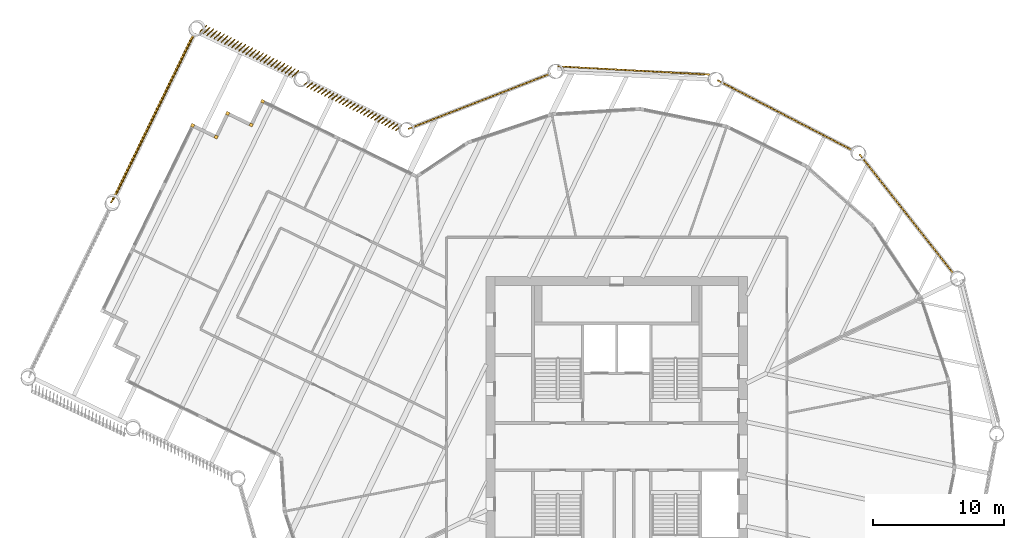
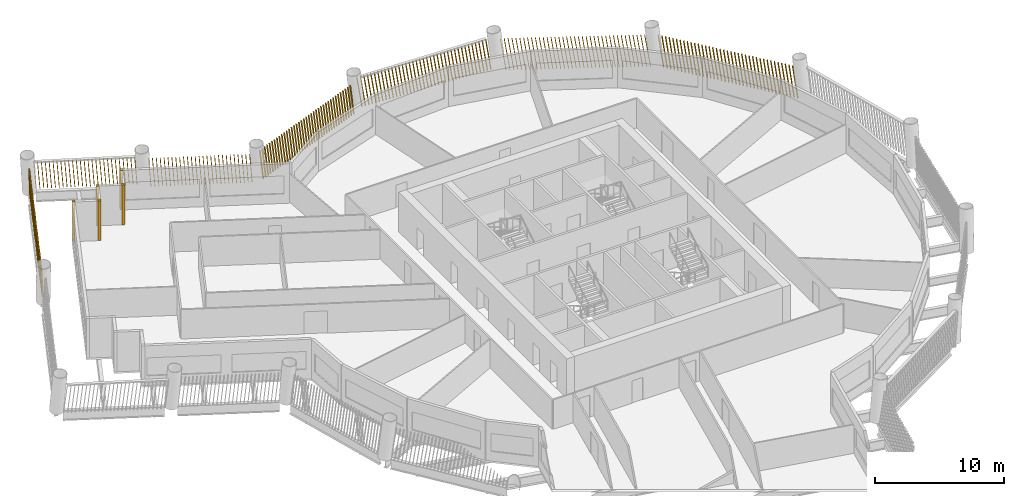
# One storey, part 14 of 15: 12 shading devices.
"""IFC4 building model written with IfcOpenShell, lengths in metres."""

from ifc_helpers import new_model, si_unit, direction, frame, frame_2d, origin, origin_2d, place, context, subcontext, project, spatial, rectangle, composite_profile, extrude, material, type_object, element, save


model = new_model("IFC4")

# Units and contexts
model_context = context("Model", 3, precision=1e-05, world=origin(), true_north=direction((0.0, 1.0)))
body_context = subcontext(model_context, "Body", "Model", "MODEL_VIEW")
ifc_project = project(units=[si_unit("LENGTHUNIT", "METRE"), si_unit("AREAUNIT", "SQUARE_METRE"), si_unit("VOLUMEUNIT", "CUBIC_METRE"), si_unit("PLANEANGLEUNIT", "RADIAN"), si_unit("MASSUNIT", "GRAM", prefix="KILO")], contexts=[model_context])

# Site, building, storey
site_placement = place(None, origin())
site = spatial("IfcSite", under=ifc_project, at=site_placement, CompositionType="ELEMENT")
building_placement = place(site_placement, origin())
building = spatial("IfcBuilding", under=site, at=building_placement, Name="Tarsis Ring Headquarters", CompositionType="ELEMENT")
storey_placement = place(building_placement, frame((0.0, 0.0, 174.89990234375)))
storey = spatial("IfcBuildingStorey", under=building, at=storey_placement, Name="L40", CompositionType="ELEMENT", Elevation=174.89990234375)

# Shading devices
ifc_material = material(Name="Terracotta baguette", Category="masonry")
shading_device_type_1 = type_object("IfcShadingDeviceType", Name="Terracotta baguette screen", PredefinedType="USERDEFINED", material=ifc_material)
shading_device_1_placement = place(storey_placement, frame((25.79052734375, 13.14501953125, 0.0), z_axis=(0.0, 0.0, 1.0), x_axis=(-0.618564979599, 0.785723587117, 0.0)))
element("IfcShadingDevice", 1, at=shading_device_1_placement, inside=storey, type_object=shading_device_type_1, Name="Baguette screen L40-11", ObjectType="Terracotta baguette screen", PredefinedType="USERDEFINED", context=body_context, shape_type="SweptSolid", body=[
    extrude(composite_profile([rectangle(XDim=0.06005859375, YDim=0.1201171875, at=frame_2d((0.030029296875, 0.0))), rectangle(XDim=0.06005859375, YDim=0.1201171875, at=frame_2d((0.33251953125, 0.0))), rectangle(XDim=0.06005859375, YDim=0.1201171875, at=frame_2d((0.634765625, 0.0))), rectangle(XDim=0.06005859375, YDim=0.1201171875, at=frame_2d((0.937255859375, 0.0))), rectangle(XDim=0.06005859375, YDim=0.1201171875, at=frame_2d((1.239501953125, 0.0))), rectangle(XDim=0.06005859375, YDim=0.1201171875, at=frame_2d((1.5419921875, 0.0))), rectangle(XDim=0.06005859375, YDim=0.1201171875, at=frame_2d((1.844482421875, 0.0))), rectangle(XDim=0.06005859375, YDim=0.1201171875, at=frame_2d((2.146728515625, 0.0))), rectangle(XDim=0.06005859375, YDim=0.1201171875, at=frame_2d((2.44921875, 0.0))), rectangle(XDim=0.06005859375, YDim=0.1201171875, at=frame_2d((2.751708984375, 0.0))), rectangle(XDim=0.06005859375, YDim=0.1201171875, at=frame_2d((3.053955078125, 0.0))), rectangle(XDim=0.06005859375, YDim=0.1201171875, at=frame_2d((3.3564453125, 0.0))), rectangle(XDim=0.06005859375, YDim=0.1201171875, at=frame_2d((3.65869140625, 0.0))), rectangle(XDim=0.06005859375, YDim=0.1201171875, at=frame_2d((3.961181640625, 0.0))), rectangle(XDim=0.06005859375, YDim=0.1201171875, at=frame_2d((4.263671875, 0.0))), rectangle(XDim=0.06005859375, YDim=0.1201171875, at=frame_2d((4.56591796875, 0.0))), rectangle(XDim=0.06005859375, YDim=0.1201171875, at=frame_2d((4.868408203125, 0.0))), rectangle(XDim=0.06005859375, YDim=0.1201171875, at=frame_2d((5.1708984375, 0.0))), rectangle(XDim=0.06005859375, YDim=0.1201171875, at=frame_2d((5.47314453125, 0.0))), rectangle(XDim=0.06005859375, YDim=0.1201171875, at=frame_2d((5.775634765625, 0.0))), rectangle(XDim=0.06005859375, YDim=0.1201171875, at=frame_2d((6.077880859375, 0.0))), rectangle(XDim=0.06005859375, YDim=0.1201171875, at=frame_2d((6.38037109375, 0.0))), rectangle(XDim=0.06005859375, YDim=0.1201171875, at=frame_2d((6.682861328125, 0.0))), rectangle(XDim=0.06005859375, YDim=0.1201171875, at=frame_2d((6.985107421875, 0.0))), rectangle(XDim=0.06005859375, YDim=0.1201171875, at=frame_2d((7.28759765625, 0.0))), rectangle(XDim=0.06005859375, YDim=0.1201171875, at=frame_2d((7.590087890625, 0.0))), rectangle(XDim=0.06005859375, YDim=0.1201171875, at=frame_2d((7.892333984375, 0.0))), rectangle(XDim=0.06005859375, YDim=0.1201171875, at=frame_2d((8.19482421875, 0.0))), rectangle(XDim=0.06005859375, YDim=0.1201171875, at=frame_2d((8.4970703125, 0.0))), rectangle(XDim=0.06005859375, YDim=0.1201171875, at=frame_2d((8.799560546875, 0.0))), rectangle(XDim=0.06005859375, YDim=0.1201171875, at=frame_2d((9.10205078125, 0.0))), rectangle(XDim=0.06005859375, YDim=0.1201171875, at=frame_2d((9.404296875, 0.0))), rectangle(XDim=0.06005859375, YDim=0.1201171875, at=frame_2d((9.706787109375, 0.0))), rectangle(XDim=0.06005859375, YDim=0.1201171875, at=frame_2d((10.00927734375, 0.0))), rectangle(XDim=0.06005859375, YDim=0.1201171875, at=frame_2d((10.3115234375, 0.0))), rectangle(XDim=0.06005859375, YDim=0.1201171875, at=frame_2d((10.614013671875, 0.0))), rectangle(XDim=0.06005859375, YDim=0.1201171875, at=frame_2d((10.916259765625, 0.0))), rectangle(XDim=0.06005859375, YDim=0.1201171875, at=frame_2d((11.21875, 0.0)))]), origin(), (0.149482634666, 0.001172855323, 0.988763655452), 2.983642578125),
])
shading_device_2_placement = place(storey_placement, frame((18.079345703125, 22.607177734375, 0.0), z_axis=(0.0, 0.0, 1.0), x_axis=(-0.887444384156, 0.460900705372, 0.0)))
element("IfcShadingDevice", 2, at=shading_device_2_placement, inside=storey, type_object=shading_device_type_1, Name="Baguette screen L40-12", ObjectType="Terracotta baguette screen", PredefinedType="USERDEFINED", context=body_context, shape_type="SweptSolid", body=[
    extrude(composite_profile([rectangle(XDim=0.06005859375, YDim=0.1201171875, at=frame_2d((0.030029296875, 0.0))), rectangle(XDim=0.06005859375, YDim=0.1201171875, at=frame_2d((0.33251953125, 0.0))), rectangle(XDim=0.06005859375, YDim=0.1201171875, at=frame_2d((0.634765625, 0.0))), rectangle(XDim=0.06005859375, YDim=0.1201171875, at=frame_2d((0.937255859375, 0.0))), rectangle(XDim=0.06005859375, YDim=0.1201171875, at=frame_2d((1.239501953125, 0.0))), rectangle(XDim=0.06005859375, YDim=0.1201171875, at=frame_2d((1.5419921875, 0.0))), rectangle(XDim=0.06005859375, YDim=0.1201171875, at=frame_2d((1.844482421875, 0.0))), rectangle(XDim=0.06005859375, YDim=0.1201171875, at=frame_2d((2.146728515625, 0.0))), rectangle(XDim=0.06005859375, YDim=0.1201171875, at=frame_2d((2.44921875, 0.0))), rectangle(XDim=0.06005859375, YDim=0.1201171875, at=frame_2d((2.751708984375, 0.0))), rectangle(XDim=0.06005859375, YDim=0.1201171875, at=frame_2d((3.053955078125, 0.0))), rectangle(XDim=0.06005859375, YDim=0.1201171875, at=frame_2d((3.3564453125, 0.0))), rectangle(XDim=0.06005859375, YDim=0.1201171875, at=frame_2d((3.65869140625, 0.0))), rectangle(XDim=0.06005859375, YDim=0.1201171875, at=frame_2d((3.961181640625, 0.0))), rectangle(XDim=0.06005859375, YDim=0.1201171875, at=frame_2d((4.263671875, 0.0))), rectangle(XDim=0.06005859375, YDim=0.1201171875, at=frame_2d((4.56591796875, 0.0))), rectangle(XDim=0.06005859375, YDim=0.1201171875, at=frame_2d((4.868408203125, 0.0))), rectangle(XDim=0.06005859375, YDim=0.1201171875, at=frame_2d((5.1708984375, 0.0))), rectangle(XDim=0.06005859375, YDim=0.1201171875, at=frame_2d((5.47314453125, 0.0))), rectangle(XDim=0.06005859375, YDim=0.1201171875, at=frame_2d((5.775634765625, 0.0))), rectangle(XDim=0.06005859375, YDim=0.1201171875, at=frame_2d((6.077880859375, 0.0))), rectangle(XDim=0.06005859375, YDim=0.1201171875, at=frame_2d((6.38037109375, 0.0))), rectangle(XDim=0.06005859375, YDim=0.1201171875, at=frame_2d((6.682861328125, 0.0))), rectangle(XDim=0.06005859375, YDim=0.1201171875, at=frame_2d((6.985107421875, 0.0))), rectangle(XDim=0.06005859375, YDim=0.1201171875, at=frame_2d((7.28759765625, 0.0))), rectangle(XDim=0.06005859375, YDim=0.1201171875, at=frame_2d((7.590087890625, 0.0))), rectangle(XDim=0.06005859375, YDim=0.1201171875, at=frame_2d((7.892333984375, 0.0))), rectangle(XDim=0.06005859375, YDim=0.1201171875, at=frame_2d((8.19482421875, 0.0))), rectangle(XDim=0.06005859375, YDim=0.1201171875, at=frame_2d((8.4970703125, 0.0))), rectangle(XDim=0.06005859375, YDim=0.1201171875, at=frame_2d((8.799560546875, 0.0))), rectangle(XDim=0.06005859375, YDim=0.1201171875, at=frame_2d((9.10205078125, 0.0))), rectangle(XDim=0.06005859375, YDim=0.1201171875, at=frame_2d((9.404296875, 0.0))), rectangle(XDim=0.06005859375, YDim=0.1201171875, at=frame_2d((9.706787109375, 0.0))), rectangle(XDim=0.06005859375, YDim=0.1201171875, at=frame_2d((10.00927734375, 0.0))), rectangle(XDim=0.06005859375, YDim=0.1201171875, at=frame_2d((10.3115234375, 0.0))), rectangle(XDim=0.06005859375, YDim=0.1201171875, at=frame_2d((10.614013671875, 0.0))), rectangle(XDim=0.06005859375, YDim=0.1201171875, at=frame_2d((10.916259765625, 0.0))), rectangle(XDim=0.06005859375, YDim=0.1201171875, at=frame_2d((11.21875, 0.0)))]), origin(), (0.149482966367, 0.001172072718, 0.988763606233), 2.983642578125),
])
shading_device_3_placement = place(storey_placement, frame((7.173828125, 28.423828125, 0.0), z_axis=(0.0, 0.0, 1.0), x_axis=(-0.998524145415, 0.05415084102, 0.0)))
element("IfcShadingDevice", 3, at=shading_device_3_placement, inside=storey, type_object=shading_device_type_1, Name="Baguette screen L40-13", ObjectType="Terracotta baguette screen", PredefinedType="USERDEFINED", context=body_context, shape_type="SweptSolid", body=[
    extrude(composite_profile([rectangle(XDim=0.06005859375, YDim=0.1201171875, at=frame_2d((0.030029296875, 0.0))), rectangle(XDim=0.06005859375, YDim=0.1201171875, at=frame_2d((0.33251953125, 0.0))), rectangle(XDim=0.06005859375, YDim=0.1201171875, at=frame_2d((0.634765625, 0.0))), rectangle(XDim=0.06005859375, YDim=0.1201171875, at=frame_2d((0.937255859375, 0.0))), rectangle(XDim=0.06005859375, YDim=0.1201171875, at=frame_2d((1.239501953125, 0.0))), rectangle(XDim=0.06005859375, YDim=0.1201171875, at=frame_2d((1.5419921875, 0.0))), rectangle(XDim=0.06005859375, YDim=0.1201171875, at=frame_2d((1.844482421875, 0.0))), rectangle(XDim=0.06005859375, YDim=0.1201171875, at=frame_2d((2.146728515625, 0.0))), rectangle(XDim=0.06005859375, YDim=0.1201171875, at=frame_2d((2.44921875, 0.0))), rectangle(XDim=0.06005859375, YDim=0.1201171875, at=frame_2d((2.751708984375, 0.0))), rectangle(XDim=0.06005859375, YDim=0.1201171875, at=frame_2d((3.053955078125, 0.0))), rectangle(XDim=0.06005859375, YDim=0.1201171875, at=frame_2d((3.3564453125, 0.0))), rectangle(XDim=0.06005859375, YDim=0.1201171875, at=frame_2d((3.65869140625, 0.0))), rectangle(XDim=0.06005859375, YDim=0.1201171875, at=frame_2d((3.961181640625, 0.0))), rectangle(XDim=0.06005859375, YDim=0.1201171875, at=frame_2d((4.263671875, 0.0))), rectangle(XDim=0.06005859375, YDim=0.1201171875, at=frame_2d((4.56591796875, 0.0))), rectangle(XDim=0.06005859375, YDim=0.1201171875, at=frame_2d((4.868408203125, 0.0))), rectangle(XDim=0.06005859375, YDim=0.1201171875, at=frame_2d((5.1708984375, 0.0))), rectangle(XDim=0.06005859375, YDim=0.1201171875, at=frame_2d((5.47314453125, 0.0))), rectangle(XDim=0.06005859375, YDim=0.1201171875, at=frame_2d((5.775634765625, 0.0))), rectangle(XDim=0.06005859375, YDim=0.1201171875, at=frame_2d((6.077880859375, 0.0))), rectangle(XDim=0.06005859375, YDim=0.1201171875, at=frame_2d((6.38037109375, 0.0))), rectangle(XDim=0.06005859375, YDim=0.1201171875, at=frame_2d((6.682861328125, 0.0))), rectangle(XDim=0.06005859375, YDim=0.1201171875, at=frame_2d((6.985107421875, 0.0))), rectangle(XDim=0.06005859375, YDim=0.1201171875, at=frame_2d((7.28759765625, 0.0))), rectangle(XDim=0.06005859375, YDim=0.1201171875, at=frame_2d((7.590087890625, 0.0))), rectangle(XDim=0.06005859375, YDim=0.1201171875, at=frame_2d((7.892333984375, 0.0))), rectangle(XDim=0.06005859375, YDim=0.1201171875, at=frame_2d((8.19482421875, 0.0))), rectangle(XDim=0.06005859375, YDim=0.1201171875, at=frame_2d((8.4970703125, 0.0))), rectangle(XDim=0.06005859375, YDim=0.1201171875, at=frame_2d((8.799560546875, 0.0))), rectangle(XDim=0.06005859375, YDim=0.1201171875, at=frame_2d((9.10205078125, 0.0))), rectangle(XDim=0.06005859375, YDim=0.1201171875, at=frame_2d((9.404296875, 0.0))), rectangle(XDim=0.06005859375, YDim=0.1201171875, at=frame_2d((9.706787109375, 0.0))), rectangle(XDim=0.06005859375, YDim=0.1201171875, at=frame_2d((10.00927734375, 0.0))), rectangle(XDim=0.06005859375, YDim=0.1201171875, at=frame_2d((10.3115234375, 0.0))), rectangle(XDim=0.06005859375, YDim=0.1201171875, at=frame_2d((10.614013671875, 0.0))), rectangle(XDim=0.06005859375, YDim=0.1201171875, at=frame_2d((10.916259765625, 0.0))), rectangle(XDim=0.06005859375, YDim=0.1201171875, at=frame_2d((11.21875, 0.0)))]), origin(), (0.151411791846, 0.001190316632, 0.988470056419), 2.984619140625),
])
shading_device_4_placement = place(storey_placement, frame((-5.0439453125, 28.50439453125, 0.0), z_axis=(0.0, 0.0, 1.0), x_axis=(-0.93208898535, -0.362257189365, 0.0)))
element("IfcShadingDevice", 4, at=shading_device_4_placement, inside=storey, type_object=shading_device_type_1, Name="Baguette screen L40-14", ObjectType="Terracotta baguette screen", PredefinedType="USERDEFINED", context=body_context, shape_type="SweptSolid", body=[
    extrude(composite_profile([rectangle(XDim=0.06005859375, YDim=0.1201171875, at=frame_2d((0.030029296875, 0.0))), rectangle(XDim=0.06005859375, YDim=0.1201171875, at=frame_2d((0.33251953125, 0.0))), rectangle(XDim=0.06005859375, YDim=0.1201171875, at=frame_2d((0.634765625, 0.0))), rectangle(XDim=0.06005859375, YDim=0.1201171875, at=frame_2d((0.937255859375, 0.0))), rectangle(XDim=0.06005859375, YDim=0.1201171875, at=frame_2d((1.239501953125, 0.0))), rectangle(XDim=0.06005859375, YDim=0.1201171875, at=frame_2d((1.5419921875, 0.0))), rectangle(XDim=0.06005859375, YDim=0.1201171875, at=frame_2d((1.844482421875, 0.0))), rectangle(XDim=0.06005859375, YDim=0.1201171875, at=frame_2d((2.146728515625, 0.0))), rectangle(XDim=0.06005859375, YDim=0.1201171875, at=frame_2d((2.44921875, 0.0))), rectangle(XDim=0.06005859375, YDim=0.1201171875, at=frame_2d((2.751708984375, 0.0))), rectangle(XDim=0.06005859375, YDim=0.1201171875, at=frame_2d((3.053955078125, 0.0))), rectangle(XDim=0.06005859375, YDim=0.1201171875, at=frame_2d((3.3564453125, 0.0))), rectangle(XDim=0.06005859375, YDim=0.1201171875, at=frame_2d((3.65869140625, 0.0))), rectangle(XDim=0.06005859375, YDim=0.1201171875, at=frame_2d((3.961181640625, 0.0))), rectangle(XDim=0.06005859375, YDim=0.1201171875, at=frame_2d((4.263671875, 0.0))), rectangle(XDim=0.06005859375, YDim=0.1201171875, at=frame_2d((4.56591796875, 0.0))), rectangle(XDim=0.06005859375, YDim=0.1201171875, at=frame_2d((4.868408203125, 0.0))), rectangle(XDim=0.06005859375, YDim=0.1201171875, at=frame_2d((5.1708984375, 0.0))), rectangle(XDim=0.06005859375, YDim=0.1201171875, at=frame_2d((5.47314453125, 0.0))), rectangle(XDim=0.06005859375, YDim=0.1201171875, at=frame_2d((5.775634765625, 0.0))), rectangle(XDim=0.06005859375, YDim=0.1201171875, at=frame_2d((6.077880859375, 0.0))), rectangle(XDim=0.06005859375, YDim=0.1201171875, at=frame_2d((6.38037109375, 0.0))), rectangle(XDim=0.06005859375, YDim=0.1201171875, at=frame_2d((6.682861328125, 0.0))), rectangle(XDim=0.06005859375, YDim=0.1201171875, at=frame_2d((6.985107421875, 0.0))), rectangle(XDim=0.06005859375, YDim=0.1201171875, at=frame_2d((7.28759765625, 0.0))), rectangle(XDim=0.06005859375, YDim=0.1201171875, at=frame_2d((7.590087890625, 0.0))), rectangle(XDim=0.06005859375, YDim=0.1201171875, at=frame_2d((7.892333984375, 0.0))), rectangle(XDim=0.06005859375, YDim=0.1201171875, at=frame_2d((8.19482421875, 0.0))), rectangle(XDim=0.06005859375, YDim=0.1201171875, at=frame_2d((8.4970703125, 0.0))), rectangle(XDim=0.06005859375, YDim=0.1201171875, at=frame_2d((8.799560546875, 0.0))), rectangle(XDim=0.06005859375, YDim=0.1201171875, at=frame_2d((9.10205078125, 0.0))), rectangle(XDim=0.06005859375, YDim=0.1201171875, at=frame_2d((9.404296875, 0.0))), rectangle(XDim=0.06005859375, YDim=0.1201171875, at=frame_2d((9.706787109375, 0.0))), rectangle(XDim=0.06005859375, YDim=0.1201171875, at=frame_2d((10.00927734375, 0.0))), rectangle(XDim=0.06005859375, YDim=0.1201171875, at=frame_2d((10.3115234375, 0.0))), rectangle(XDim=0.06005859375, YDim=0.1201171875, at=frame_2d((10.614013671875, 0.0))), rectangle(XDim=0.06005859375, YDim=0.1201171875, at=frame_2d((10.916259765625, 0.0))), rectangle(XDim=0.06005859375, YDim=0.1201171875, at=frame_2d((11.21875, 0.0)))]), origin(), (0.149485186138, 0.001174187123, 0.988763268133), 2.983642578125),
])
shading_device_5_placement = place(storey_placement, frame((-16.4443359375, 24.46728515625, 0.0), z_axis=(0.0, 0.0, 1.0), x_axis=(-0.899097874444, 0.437716262976, 0.0)))
element("IfcShadingDevice", 5, at=shading_device_5_placement, inside=storey, type_object=shading_device_type_1, Name="Baguette screen L40-15", ObjectType="Terracotta baguette screen", PredefinedType="USERDEFINED", context=body_context, shape_type="SweptSolid", body=[
    extrude(composite_profile([rectangle(XDim=0.06005859375, YDim=0.1201171875, at=frame_2d((0.030029296875, 0.0))), rectangle(XDim=0.06005859375, YDim=0.1201171875, at=frame_2d((0.33154296875, 0.0))), rectangle(XDim=0.06005859375, YDim=0.1201171875, at=frame_2d((0.63330078125, 0.0))), rectangle(XDim=0.06005859375, YDim=0.1201171875, at=frame_2d((0.934814453125, 0.0))), rectangle(XDim=0.06005859375, YDim=0.1201171875, at=frame_2d((1.236572265625, 0.0))), rectangle(XDim=0.06005859375, YDim=0.1201171875, at=frame_2d((1.5380859375, 0.0))), rectangle(XDim=0.06005859375, YDim=0.1201171875, at=frame_2d((1.83984375, 0.0))), rectangle(XDim=0.06005859375, YDim=0.1201171875, at=frame_2d((2.141357421875, 0.0))), rectangle(XDim=0.06005859375, YDim=0.1201171875, at=frame_2d((2.443115234375, 0.0))), rectangle(XDim=0.06005859375, YDim=0.1201171875, at=frame_2d((2.74462890625, 0.0))), rectangle(XDim=0.06005859375, YDim=0.1201171875, at=frame_2d((3.04638671875, 0.0))), rectangle(XDim=0.06005859375, YDim=0.1201171875, at=frame_2d((3.347900390625, 0.0))), rectangle(XDim=0.06005859375, YDim=0.1201171875, at=frame_2d((3.649658203125, 0.0))), rectangle(XDim=0.06005859375, YDim=0.1201171875, at=frame_2d((3.951171875, 0.0))), rectangle(XDim=0.06005859375, YDim=0.1201171875, at=frame_2d((4.252685546875, 0.0))), rectangle(XDim=0.06005859375, YDim=0.1201171875, at=frame_2d((4.554443359375, 0.0))), rectangle(XDim=0.06005859375, YDim=0.1201171875, at=frame_2d((4.85595703125, 0.0))), rectangle(XDim=0.06005859375, YDim=0.1201171875, at=frame_2d((5.15771484375, 0.0))), rectangle(XDim=0.06005859375, YDim=0.1201171875, at=frame_2d((5.459228515625, 0.0))), rectangle(XDim=0.06005859375, YDim=0.1201171875, at=frame_2d((5.760986328125, 0.0))), rectangle(XDim=0.06005859375, YDim=0.1201171875, at=frame_2d((6.0625, 0.0))), rectangle(XDim=0.06005859375, YDim=0.1201171875, at=frame_2d((6.3642578125, 0.0))), rectangle(XDim=0.06005859375, YDim=0.1201171875, at=frame_2d((6.665771484375, 0.0))), rectangle(XDim=0.06005859375, YDim=0.1201171875, at=frame_2d((6.967529296875, 0.0))), rectangle(XDim=0.06005859375, YDim=0.1201171875, at=frame_2d((7.26904296875, 0.0))), rectangle(XDim=0.06005859375, YDim=0.1201171875, at=frame_2d((7.57080078125, 0.0))), rectangle(XDim=0.06005859375, YDim=0.1201171875, at=frame_2d((7.872314453125, 0.0)))]), origin(), (0.076401675296, 0.155025121467, 0.9849517733), 2.995361328125),
])
shading_device_6_placement = place(storey_placement, frame((-24.2841796875, 28.701171875, 0.0), z_axis=(0.0, 0.0, 1.0), x_axis=(-0.899097874444, 0.437747157687, 0.0)))
element("IfcShadingDevice", 6, at=shading_device_6_placement, inside=storey, type_object=shading_device_type_1, Name="Baguette screen L40-16", ObjectType="Terracotta baguette screen", PredefinedType="USERDEFINED", context=body_context, shape_type="SweptSolid", body=[
    extrude(composite_profile([rectangle(XDim=0.06005859375, YDim=0.1201171875, at=frame_2d((0.030029296875, 0.0))), rectangle(XDim=0.06005859375, YDim=0.1201171875, at=frame_2d((0.33154296875, 0.0))), rectangle(XDim=0.06005859375, YDim=0.1201171875, at=frame_2d((0.63330078125, 0.0))), rectangle(XDim=0.06005859375, YDim=0.1201171875, at=frame_2d((0.934814453125, 0.0))), rectangle(XDim=0.06005859375, YDim=0.1201171875, at=frame_2d((1.236572265625, 0.0))), rectangle(XDim=0.06005859375, YDim=0.1201171875, at=frame_2d((1.5380859375, 0.0))), rectangle(XDim=0.06005859375, YDim=0.1201171875, at=frame_2d((1.83984375, 0.0))), rectangle(XDim=0.06005859375, YDim=0.1201171875, at=frame_2d((2.141357421875, 0.0))), rectangle(XDim=0.06005859375, YDim=0.1201171875, at=frame_2d((2.443115234375, 0.0))), rectangle(XDim=0.06005859375, YDim=0.1201171875, at=frame_2d((2.74462890625, 0.0))), rectangle(XDim=0.06005859375, YDim=0.1201171875, at=frame_2d((3.04638671875, 0.0))), rectangle(XDim=0.06005859375, YDim=0.1201171875, at=frame_2d((3.347900390625, 0.0))), rectangle(XDim=0.06005859375, YDim=0.1201171875, at=frame_2d((3.649658203125, 0.0))), rectangle(XDim=0.06005859375, YDim=0.1201171875, at=frame_2d((3.951171875, 0.0))), rectangle(XDim=0.06005859375, YDim=0.1201171875, at=frame_2d((4.252685546875, 0.0))), rectangle(XDim=0.06005859375, YDim=0.1201171875, at=frame_2d((4.554443359375, 0.0))), rectangle(XDim=0.06005859375, YDim=0.1201171875, at=frame_2d((4.85595703125, 0.0))), rectangle(XDim=0.06005859375, YDim=0.1201171875, at=frame_2d((5.15771484375, 0.0))), rectangle(XDim=0.06005859375, YDim=0.1201171875, at=frame_2d((5.459228515625, 0.0))), rectangle(XDim=0.06005859375, YDim=0.1201171875, at=frame_2d((5.760986328125, 0.0))), rectangle(XDim=0.06005859375, YDim=0.1201171875, at=frame_2d((6.0625, 0.0))), rectangle(XDim=0.06005859375, YDim=0.1201171875, at=frame_2d((6.3642578125, 0.0))), rectangle(XDim=0.06005859375, YDim=0.1201171875, at=frame_2d((6.665771484375, 0.0))), rectangle(XDim=0.06005859375, YDim=0.1201171875, at=frame_2d((6.967529296875, 0.0))), rectangle(XDim=0.06005859375, YDim=0.1201171875, at=frame_2d((7.26904296875, 0.0))), rectangle(XDim=0.06005859375, YDim=0.1201171875, at=frame_2d((7.57080078125, 0.0))), rectangle(XDim=0.06005859375, YDim=0.1201171875, at=frame_2d((7.872314453125, 0.0)))]), origin(), (0.077346800831, 0.200044240478, 0.976729120203), 3.0205078125),
])
shading_device_7_placement = place(storey_placement, frame((-32.2216796875, 31.592529296875, 0.0), z_axis=(0.0, 0.0, 1.0), x_axis=(-0.437753206546, -0.899088898717, 0.0)))
element("IfcShadingDevice", 7, at=shading_device_7_placement, inside=storey, type_object=shading_device_type_1, Name="Baguette screen L40-17", ObjectType="Terracotta baguette screen", PredefinedType="USERDEFINED", context=body_context, shape_type="SweptSolid", body=[
    extrude(composite_profile([rectangle(XDim=0.06005859375, YDim=0.1201171875, at=frame_2d((0.030029296875, 0.0))), rectangle(XDim=0.06005859375, YDim=0.1201171875, at=frame_2d((0.33544921875, 0.0))), rectangle(XDim=0.06005859375, YDim=0.1201171875, at=frame_2d((0.640625, 0.0))), rectangle(XDim=0.06005859375, YDim=0.1201171875, at=frame_2d((0.946044921875, 0.0))), rectangle(XDim=0.06005859375, YDim=0.1201171875, at=frame_2d((1.25146484375, 0.0))), rectangle(XDim=0.06005859375, YDim=0.1201171875, at=frame_2d((1.556640625, 0.0))), rectangle(XDim=0.06005859375, YDim=0.1201171875, at=frame_2d((1.862060546875, 0.0))), rectangle(XDim=0.06005859375, YDim=0.1201171875, at=frame_2d((2.16748046875, 0.0))), rectangle(XDim=0.06005859375, YDim=0.1201171875, at=frame_2d((2.47265625, 0.0))), rectangle(XDim=0.06005859375, YDim=0.1201171875, at=frame_2d((2.778076171875, 0.0))), rectangle(XDim=0.06005859375, YDim=0.1201171875, at=frame_2d((3.08349609375, 0.0))), rectangle(XDim=0.06005859375, YDim=0.1201171875, at=frame_2d((3.388671875, 0.0))), rectangle(XDim=0.06005859375, YDim=0.1201171875, at=frame_2d((3.694091796875, 0.0))), rectangle(XDim=0.06005859375, YDim=0.1201171875, at=frame_2d((3.99951171875, 0.0))), rectangle(XDim=0.06005859375, YDim=0.1201171875, at=frame_2d((4.3046875, 0.0))), rectangle(XDim=0.06005859375, YDim=0.1201171875, at=frame_2d((4.610107421875, 0.0))), rectangle(XDim=0.06005859375, YDim=0.1201171875, at=frame_2d((4.91552734375, 0.0))), rectangle(XDim=0.06005859375, YDim=0.1201171875, at=frame_2d((5.220703125, 0.0))), rectangle(XDim=0.06005859375, YDim=0.1201171875, at=frame_2d((5.526123046875, 0.0))), rectangle(XDim=0.06005859375, YDim=0.1201171875, at=frame_2d((5.83154296875, 0.0))), rectangle(XDim=0.06005859375, YDim=0.1201171875, at=frame_2d((6.13671875, 0.0))), rectangle(XDim=0.06005859375, YDim=0.1201171875, at=frame_2d((6.442138671875, 0.0))), rectangle(XDim=0.06005859375, YDim=0.1201171875, at=frame_2d((6.74755859375, 0.0))), rectangle(XDim=0.06005859375, YDim=0.1201171875, at=frame_2d((7.052734375, 0.0))), rectangle(XDim=0.06005859375, YDim=0.1201171875, at=frame_2d((7.358154296875, 0.0))), rectangle(XDim=0.06005859375, YDim=0.1201171875, at=frame_2d((7.66357421875, 0.0))), rectangle(XDim=0.06005859375, YDim=0.1201171875, at=frame_2d((7.96875, 0.0))), rectangle(XDim=0.06005859375, YDim=0.1201171875, at=frame_2d((8.274169921875, 0.0))), rectangle(XDim=0.06005859375, YDim=0.1201171875, at=frame_2d((8.57958984375, 0.0))), rectangle(XDim=0.06005859375, YDim=0.1201171875, at=frame_2d((8.884765625, 0.0))), rectangle(XDim=0.06005859375, YDim=0.1201171875, at=frame_2d((9.190185546875, 0.0))), rectangle(XDim=0.06005859375, YDim=0.1201171875, at=frame_2d((9.49560546875, 0.0))), rectangle(XDim=0.06005859375, YDim=0.1201171875, at=frame_2d((9.80078125, 0.0))), rectangle(XDim=0.06005859375, YDim=0.1201171875, at=frame_2d((10.106201171875, 0.0))), rectangle(XDim=0.06005859375, YDim=0.1201171875, at=frame_2d((10.41162109375, 0.0))), rectangle(XDim=0.06005859375, YDim=0.1201171875, at=frame_2d((10.716796875, 0.0))), rectangle(XDim=0.06005859375, YDim=0.1201171875, at=frame_2d((11.022216796875, 0.0))), rectangle(XDim=0.06005859375, YDim=0.1201171875, at=frame_2d((11.32763671875, 0.0))), rectangle(XDim=0.06005859375, YDim=0.1201171875, at=frame_2d((11.6328125, 0.0))), rectangle(XDim=0.06005859375, YDim=0.1201171875, at=frame_2d((11.938232421875, 0.0))), rectangle(XDim=0.06005859375, YDim=0.1201171875, at=frame_2d((12.24365234375, 0.0))), rectangle(XDim=0.06005859375, YDim=0.1201171875, at=frame_2d((12.548828125, 0.0))), rectangle(XDim=0.06005859375, YDim=0.1201171875, at=frame_2d((12.854248046875, 0.0))), rectangle(XDim=0.06005859375, YDim=0.1201171875, at=frame_2d((13.15966796875, 0.0))), rectangle(XDim=0.06005859375, YDim=0.1201171875, at=frame_2d((13.46484375, 0.0))), rectangle(XDim=0.06005859375, YDim=0.1201171875, at=frame_2d((13.770263671875, 0.0)))]), origin(), (0.222315210717, -0.03663860031, 0.97428617975), 3.028076171875),
])
shading_device_type_2 = type_object("IfcShadingDeviceType", Name="Terracotta corner baguette 250x250", PredefinedType="USERDEFINED", material=ifc_material)
for number, where, z_axis, x_axis, name in (
    (8, (-27.056884765625, 26.380859375, 0.0), (0.0, 0.0, 1.0), (-0.899099875678, 0.437743547703, 0.0), "Corner baguette L40-32"),
    (9, (-27.932373046875, 24.582763671875, 0.0), (0.0, 0.0, 1.0), (-0.43774345355, -0.899099921518, 0.0), "Corner baguette L40-33"),
    (10, (-29.730712890625, 25.458251953125, 0.0), (0.0, 0.0, 1.0), (-0.899099921518, 0.43774345355, 0.0), "Corner baguette L40-34"),
    (11, (-30.606201171875, 23.659912109375, 0.0), (0.0, 0.0, 1.0), (-0.437743061243, -0.89910011252, 0.0), "Corner baguette L40-35"),
    (12, (-32.404296875, 24.535400390625, 0.0), (0.0, 0.0, 1.0), (-0.899099722877, 0.437743861548, 0.0), "Corner baguette L40-36"),
):
    element("IfcShadingDevice", number, at=place(storey_placement, frame(where, z_axis=z_axis, x_axis=x_axis)), inside=storey, type_object=shading_device_type_2, Name=name, ObjectType="Terracotta corner baguette", PredefinedType="USERDEFINED", context=body_context, shape_type="SweptSolid", body=[
        extrude(rectangle(XDim=0.25, YDim=0.25, at=origin_2d()), origin(), (0.0, 0.0, 1.0), 3.739990234375),
    ])

save(model, "model.ifc")
